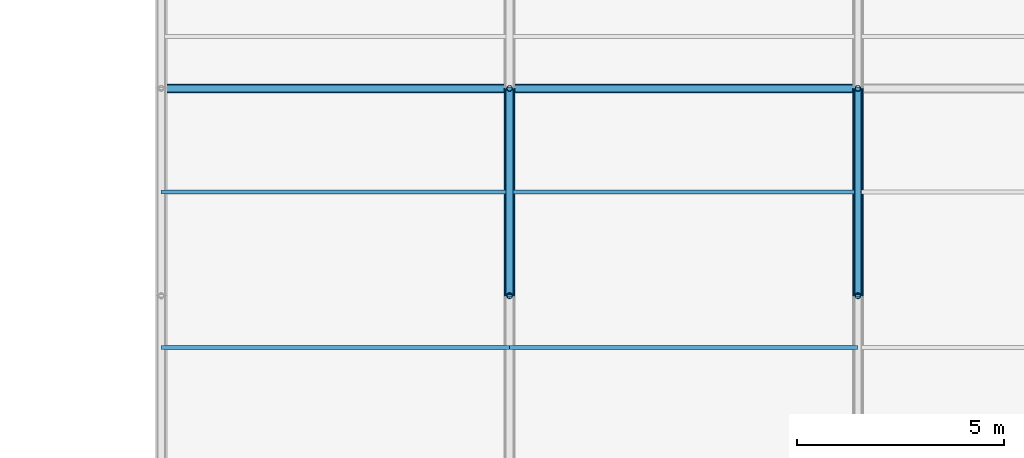
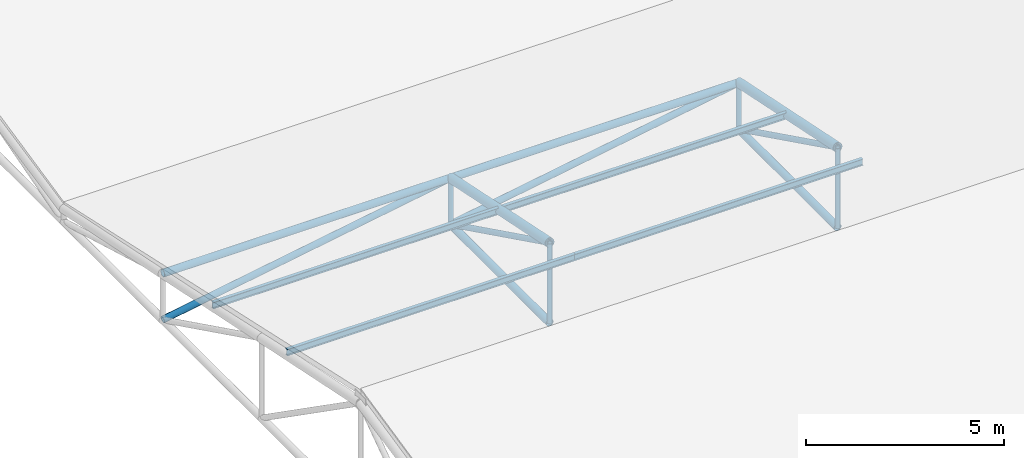
# One storey, part 8 of 194: 14 members, 4 beams.
"""IFC4 building model written with IfcOpenShell, lengths in metres."""

from ifc_helpers import new_model, si_unit, direction, frame, origin, origin_2d, place, context, subcontext, project, spatial, hollow_circle, i_section, extrude, material, material_profile, profile_set, type_object, element, save


model = new_model("IFC4")

# Units and contexts
model_context = context("Model", 3, precision=1e-05, world=origin(), true_north=direction((0.0, 1.0)))
body_context = subcontext(model_context, "Body", "Model", "MODEL_VIEW")
ifc_project = project(units=[si_unit("LENGTHUNIT", "METRE"), si_unit("AREAUNIT", "SQUARE_METRE"), si_unit("VOLUMEUNIT", "CUBIC_METRE"), si_unit("PLANEANGLEUNIT", "RADIAN"), si_unit("MASSUNIT", "GRAM", prefix="KILO")], contexts=[model_context])

# Site, building, storey
site_placement = place(None, origin())
site = spatial("IfcSite", under=ifc_project, at=site_placement, CompositionType="ELEMENT")
building_placement = place(site_placement, origin())
building = spatial("IfcBuilding", under=site, at=building_placement, Name="Kazenagashi Tramway Depot", CompositionType="ELEMENT")
storey_placement = place(building_placement, frame((0.0, 0.0, 23.7)))
storey = spatial("IfcBuildingStorey", under=building, at=storey_placement, Name="ROOF", CompositionType="ELEMENT", Elevation=23.7)

# Beams
ifc_material_1 = material(Name="Steel SN400B", Category="steel")
ifc_material_profile_1 = material_profile(ifc_material_1, i_section(OverallWidth=0.1, OverallDepth=0.2, WebThickness=0.0055, FlangeThickness=0.008, at=origin_2d()), Name="H-200x100x5.5x8")
ifc_profile_set_1 = profile_set([ifc_material_profile_1], Name="Steel SN400B")
beam_type = type_object("IfcBeamType", Name="PR-01", PredefinedType="USERDEFINED", material=ifc_profile_set_1)
for number, where, z_axis, x_axis, name in (
    (1, (44.8, 88.75, -11.305), (1.0, 0.0, 0.0), (0.0, 1.0, 0.0), "Beam PR-01 BM-2072"),
    (2, (53.2, 88.75, -11.305), (1.0, 0.0, 0.0), (0.0, 1.0, 0.0), "Beam PR-01 BM-2073"),
    (3, (44.8, 92.5, -12.13), (1.0, 0.0, 0.0), (0.0, 1.0, 0.0), "Beam PR-01 BM-2090"),
    (4, (53.2, 92.5, -12.13), (1.0, 0.0, 0.0), (0.0, 1.0, 0.0), "Beam PR-01 BM-2091"),
):
    element("IfcBeam", number, at=place(storey_placement, frame(where, z_axis=z_axis, x_axis=x_axis)), inside=storey, type_object=beam_type, Name=name, ObjectType="PURLIN", PredefinedType="USERDEFINED", context=body_context, shape_type="SweptSolid", body=[
        extrude(i_section(OverallWidth=0.1, OverallDepth=0.2, WebThickness=0.0055, FlangeThickness=0.008, at=origin_2d()), origin(), (0.0, 0.0, 1.0), 8.4),
    ])

# Members
ifc_material_2 = material(Name="Steel STK490", Category="steel")
ifc_material_profile_2 = material_profile(ifc_material_2, hollow_circle(Radius=0.1337, WallThickness=0.0093, at=origin_2d()), Name="CHS-267.4x9.3")
ifc_profile_set_2 = profile_set([ifc_material_profile_2], Name="Steel STK490")
member_type_1 = type_object("IfcMemberType", Name="TC-01", PredefinedType="CHORD", material=ifc_profile_set_2)
for number, where, z_axis, x_axis, name in (
    (5, (53.2, 90.0, -11.633), (0.0, 0.979279174591, -0.202514933305), (-1.0, 0.0, 0.0), "Tubular Space Frame TC-01 MEM-0074"),
    (6, (61.6, 90.0, -11.633), (0.0, 0.979279174591, -0.202514933305), (-1.0, 0.0, 0.0), "Tubular Space Frame TC-01 MEM-0135"),
):
    element("IfcMember", number, at=place(storey_placement, frame(where, z_axis=z_axis, x_axis=x_axis)), inside=storey, type_object=member_type_1, Name=name, PredefinedType="CHORD", context=body_context, shape_type="SweptSolid", body=[
        extrude(hollow_circle(Radius=0.1337, WallThickness=0.0093, at=origin_2d()), origin(), (0.0, 0.0, 1.0), 5.105796),
    ])
ifc_material_profile_3 = material_profile(ifc_material_2, hollow_circle(Radius=0.10815, WallThickness=0.0082, at=origin_2d()), Name="CHS-216.3x8.2")
ifc_profile_set_3 = profile_set([ifc_material_profile_3], Name="Steel STK490")
member_type_2 = type_object("IfcMemberType", Name="TC-02", PredefinedType="CHORD", material=ifc_profile_set_3)
member_1_placement = place(storey_placement, frame((44.8, 95.0, -12.667), z_axis=(1.0, 0.0, 0.0), x_axis=(0.0, 1.0, 0.0)))
element("IfcMember", 7, at=member_1_placement, inside=storey, type_object=member_type_2, Name="Tubular Space Frame TC-02 MEM-0030", PredefinedType="CHORD", context=body_context, shape_type="SweptSolid", body=[
    extrude(hollow_circle(Radius=0.10815, WallThickness=0.0082, at=origin_2d()), origin(), (0.0, 0.0, 1.0), 8.4),
])
member_2_placement = place(storey_placement, frame((53.2, 90.0, -14.1), z_axis=(0.0, 1.0, 0.0), x_axis=(-1.0, 0.0, 0.0)))
element("IfcMember", 8, at=member_2_placement, inside=storey, type_object=member_type_2, Name="Tubular Space Frame TC-02 MEM-0075", PredefinedType="CHORD", context=body_context, shape_type="SweptSolid", body=[
    extrude(hollow_circle(Radius=0.10815, WallThickness=0.0082, at=origin_2d()), origin(), (0.0, 0.0, 1.0), 5.0),
])
member_3_placement = place(storey_placement, frame((53.2, 95.0, -12.667), z_axis=(1.0, 0.0, 0.0), x_axis=(0.0, 1.0, 0.0)))
element("IfcMember", 9, at=member_3_placement, inside=storey, type_object=member_type_2, Name="Tubular Space Frame TC-02 MEM-0091", PredefinedType="CHORD", context=body_context, shape_type="SweptSolid", body=[
    extrude(hollow_circle(Radius=0.10815, WallThickness=0.0082, at=origin_2d()), origin(), (0.0, 0.0, 1.0), 8.4),
])
member_4_placement = place(storey_placement, frame((61.6, 90.0, -14.1), z_axis=(0.0, 1.0, 0.0), x_axis=(-1.0, 0.0, 0.0)))
element("IfcMember", 10, at=member_4_placement, inside=storey, type_object=member_type_2, Name="Tubular Space Frame TC-02 MEM-0136", PredefinedType="CHORD", context=body_context, shape_type="SweptSolid", body=[
    extrude(hollow_circle(Radius=0.10815, WallThickness=0.0082, at=origin_2d()), origin(), (0.0, 0.0, 1.0), 5.0),
])
ifc_material_profile_4 = material_profile(ifc_material_2, hollow_circle(Radius=0.0826, WallThickness=0.0071, at=origin_2d()), Name="CHS-165.2x7.1")
ifc_profile_set_4 = profile_set([ifc_material_profile_4], Name="Steel STK490")
member_type_3 = type_object("IfcMemberType", Name="TS-01", PredefinedType="STRUT", material=ifc_profile_set_4)
for number, where, z_axis, x_axis, name in (
    (11, (53.2, 90.0, -11.633), (0.0, 0.896782162482, -0.442472318969), (-1.0, 0.0, 0.0), "Tubular Space Frame TS-01 MEM-0076"),
    (12, (61.6, 90.0, -11.633), (0.0, 0.896782162482, -0.442472318969), (-1.0, 0.0, 0.0), "Tubular Space Frame TS-01 MEM-0137"),
):
    element("IfcMember", number, at=place(storey_placement, frame(where, z_axis=z_axis, x_axis=x_axis)), inside=storey, type_object=member_type_3, Name=name, PredefinedType="STRUT", context=body_context, shape_type="SweptSolid", body=[
        extrude(hollow_circle(Radius=0.0826, WallThickness=0.0071, at=origin_2d()), origin(), (0.0, 0.0, 1.0), 5.57549),
    ])
ifc_material_profile_5 = material_profile(ifc_material_2, hollow_circle(Radius=0.0699, WallThickness=0.0066, at=origin_2d()), Name="CHS-139.8x6.6")
ifc_profile_set_5 = profile_set([ifc_material_profile_5], Name="Steel STK490")
member_type_4 = type_object("IfcMemberType", Name="TS-02", PredefinedType="STRUT", material=ifc_profile_set_5)
member_5_placement = place(storey_placement, frame((53.2, 90.0, -14.1), z_axis=(0.0, 0.0, 1.0), x_axis=(1.0, 0.0, 0.0)))
element("IfcMember", 13, at=member_5_placement, inside=storey, type_object=member_type_4, Name="Tubular Space Frame TS-02 MEM-0084", PredefinedType="STRUT", context=body_context, shape_type="SweptSolid", body=[
    extrude(hollow_circle(Radius=0.0699, WallThickness=0.0066, at=origin_2d()), origin(), (0.0, 0.0, 1.0), 2.467),
])
member_6_placement = place(storey_placement, frame((53.2, 95.0, -14.1), z_axis=(0.0, 0.0, 1.0), x_axis=(1.0, 0.0, 0.0)))
element("IfcMember", 14, at=member_6_placement, inside=storey, type_object=member_type_4, Name="Tubular Space Frame TS-02 MEM-0085", PredefinedType="STRUT", context=body_context, shape_type="SweptSolid", body=[
    extrude(hollow_circle(Radius=0.0699, WallThickness=0.0066, at=origin_2d()), origin(), (0.0, 0.0, 1.0), 1.433),
])
member_7_placement = place(storey_placement, frame((61.6, 90.0, -14.1), z_axis=(0.0, 0.0, 1.0), x_axis=(1.0, 0.0, 0.0)))
element("IfcMember", 15, at=member_7_placement, inside=storey, type_object=member_type_4, Name="Tubular Space Frame TS-02 MEM-0145", PredefinedType="STRUT", context=body_context, shape_type="SweptSolid", body=[
    extrude(hollow_circle(Radius=0.0699, WallThickness=0.0066, at=origin_2d()), origin(), (0.0, 0.0, 1.0), 2.467),
])
member_8_placement = place(storey_placement, frame((61.6, 95.0, -14.1), z_axis=(0.0, 0.0, 1.0), x_axis=(1.0, 0.0, 0.0)))
element("IfcMember", 16, at=member_8_placement, inside=storey, type_object=member_type_4, Name="Tubular Space Frame TS-02 MEM-0146", PredefinedType="STRUT", context=body_context, shape_type="SweptSolid", body=[
    extrude(hollow_circle(Radius=0.0699, WallThickness=0.0066, at=origin_2d()), origin(), (0.0, 0.0, 1.0), 1.433),
])
ifc_material_profile_6 = material_profile(ifc_material_2, hollow_circle(Radius=0.09535, WallThickness=0.007, at=origin_2d()), Name="CHS-190.7x7.0")
ifc_profile_set_6 = profile_set([ifc_material_profile_6], Name="Steel STK490")
member_type_5 = type_object("IfcMemberType", Name="TS-05", PredefinedType="STRUT", material=ifc_profile_set_6)
for number, where, z_axis, x_axis, name in (
    (17, (44.8, 95.0, -14.1), (0.985758734117, 0.0, 0.168165745951), (0.0, 1.0, 0.0), "Tubular Space Frame TS-05 MEM-0031"),
    (18, (53.2, 95.0, -14.1), (0.985758734117, 0.0, 0.168165745951), (0.0, 1.0, 0.0), "Tubular Space Frame TS-05 MEM-0092"),
):
    element("IfcMember", number, at=place(storey_placement, frame(where, z_axis=z_axis, x_axis=x_axis)), inside=storey, type_object=member_type_5, Name=name, PredefinedType="STRUT", context=body_context, shape_type="SweptSolid", body=[
        extrude(hollow_circle(Radius=0.09535, WallThickness=0.007, at=origin_2d()), origin(), (0.0, 0.0, 1.0), 8.521355),
    ])

save(model, "model.ifc")
